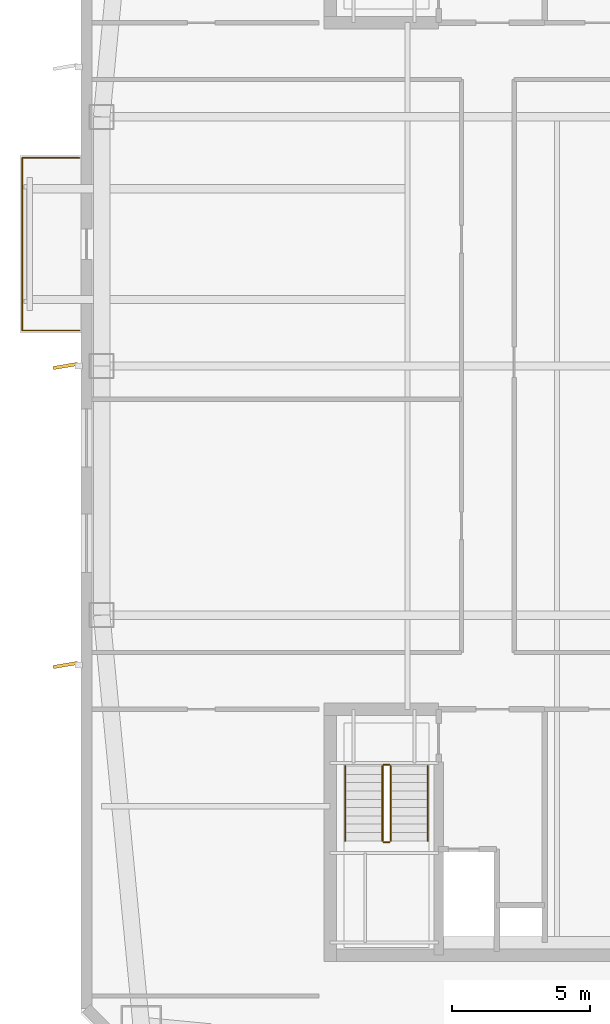
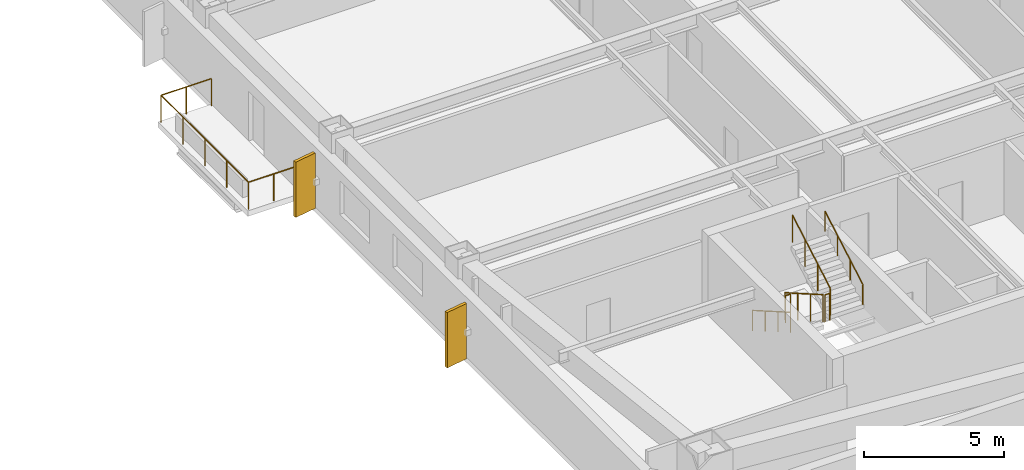
# One storey, part 13 of 17: 7 railings, 2 shading devices.
"""IFC4 building model written with IfcOpenShell, lengths in metres."""

import ifcopenshell
import ifcopenshell.guid

model = None  # the IFC model being written
_history = None  # IfcOwnerHistory: only IFC2X3 demands one
_inside = {}  # id of a spatial element -> (the spatial element, [elements in it])
_under = {}  # id of a project, library or spatial element -> (it, [spatial elements below it])
_declared = {}  # id of a project -> (the project, [libraries it declares])
_typed = {}  # id of a type object -> (the type object, [elements of that type])
_made_of = {}  # id of a material, layer set ... -> (it, [elements and type objects made of it])


def new_model(schema):
    """Start an empty IFC model of exactly this schema.

    Asked for "IFC4X3", IfcOpenShell would pick the latest addendum, in which some entities
    have other attributes; the version numbers below select the first issue.
    IFC2X3 requires an IfcOwnerHistory on every rooted entity: one is made here for all.
    """
    global model, _history
    if schema == "IFC4X3":
        model = ifcopenshell.file(schema_version=(4, 3, 0, 0))
    else:
        model = ifcopenshell.file(schema=schema)
    _inside.clear()
    _under.clear()
    _declared.clear()
    _typed.clear()
    _made_of.clear()
    _history = None
    if model.schema == "IFC2X3":
        org = make("IfcOrganization", Name="unknown")
        user = make(
            "IfcPersonAndOrganization",
            ThePerson=make("IfcPerson", FamilyName="unknown"),
            TheOrganization=org,
        )
        app = make(
            "IfcApplication",
            ApplicationDeveloper=org,
            Version="unknown",
            ApplicationFullName="unknown",
            ApplicationIdentifier="unknown",
        )
        _history = make(
            "IfcOwnerHistory",
            OwningUser=user,
            OwningApplication=app,
            ChangeAction="ADDED",
            CreationDate=0,
        )
    return model


def make(cls, **values):
    """One entity of the class cls with the attributes given. An attribute that is None is left unset."""
    return model.create_entity(
        cls, **{name: value for name, value in values.items() if value is not None}
    )


def rooted(cls, **values):
    """An entity with a GlobalId (a new one), such as an element, a storey or a relation."""
    return make(cls, GlobalId=ifcopenshell.guid.new(), OwnerHistory=_history, **values)


def si_unit(unit_type, name, prefix=None):
    """IfcSIUnit, for example si_unit("LENGTHUNIT", "METRE", prefix="MILLI")."""
    return make("IfcSIUnit", UnitType=unit_type, Prefix=prefix, Name=name)


def assignment(units):
    """IfcUnitAssignment: the units of a project."""
    return None if units is None else make("IfcUnitAssignment", Units=units)


def point(xyz):
    """IfcCartesianPoint."""
    return None if xyz is None else make("IfcCartesianPoint", Coordinates=xyz)


def direction(xyz):
    """IfcDirection."""
    return None if xyz is None else make("IfcDirection", DirectionRatios=xyz)


def frame(location, z_axis=None, x_axis=None):
    """IfcAxis2Placement3D, a coordinate frame: its origin and axes. An axis left out is left unset."""
    return make(
        "IfcAxis2Placement3D",
        Location=point(location),
        Axis=direction(z_axis),
        RefDirection=direction(x_axis),
    )


def frame_2d(location, x_axis=None):
    """IfcAxis2Placement2D, a coordinate frame in the plane: its origin and x axis."""
    return make(
        "IfcAxis2Placement2D", Location=point(location), RefDirection=direction(x_axis)
    )


def origin():
    """The frame at (0, 0, 0) with its axes left unset."""
    return frame((0.0, 0.0, 0.0))


def origin_2d():
    """The frame at (0, 0) in the plane with its x axis left unset."""
    return frame_2d((0.0, 0.0))


def place(relative_to, where):
    """IfcLocalPlacement: puts the frame where relative to a parent placement (None: the world)."""
    return make(
        "IfcLocalPlacement", PlacementRelTo=relative_to, RelativePlacement=where
    )


def context(
    kind, dimensions, precision=None, world=None, true_north=None, identifier=None
):
    """IfcGeometricRepresentationContext, for example the 3D "Model" context."""
    return make(
        "IfcGeometricRepresentationContext",
        ContextIdentifier=identifier,
        ContextType=kind,
        CoordinateSpaceDimension=dimensions,
        Precision=precision,
        WorldCoordinateSystem=world,
        TrueNorth=true_north,
    )


def subcontext(parent, identifier, kind, view, scale=None):
    """IfcGeometricRepresentationSubContext, for example "Body" below "Model"."""
    return make(
        "IfcGeometricRepresentationSubContext",
        ContextIdentifier=identifier,
        ContextType=kind,
        ParentContext=parent,
        TargetScale=scale,
        TargetView=view,
    )


def project(units=None, contexts=None):
    """IfcProject with its units and contexts."""
    return rooted(
        "IfcProject",
        Name="project",
        RepresentationContexts=contexts,
        UnitsInContext=assignment(units),
    )


def spatial(cls, under=None, at=None, **own):
    """A site, building, storey or space (cls), placed at a placement, below another one or the project."""
    s = rooted(cls, ObjectPlacement=at, **own)
    if under is not None:
        _under.setdefault(under.id(), (under, []))[1].append(s)
    return s


def profile(cls, at=None, kind="AREA", **sizes):
    """A parametric profile (cls). Its sizes go by their IFC names, for example OverallWidth=200.0."""
    return make(cls, ProfileType=kind, Position=at, **sizes)


def rectangle(**sizes):
    """IfcRectangleProfileDef."""
    return profile("IfcRectangleProfileDef", **sizes)


def circle(**sizes):
    """IfcCircleProfileDef."""
    return profile("IfcCircleProfileDef", **sizes)


def extrude(swept, where, along, depth):
    """IfcExtrudedAreaSolid: the profile swept, set in the frame where, extruded along a direction by depth."""
    return make(
        "IfcExtrudedAreaSolid",
        SweptArea=swept,
        Position=where,
        ExtrudedDirection=direction(along),
        Depth=depth,
    )


def shape(context_of_items, identifier, shape_type, items):
    """IfcShapeRepresentation: the items that make up one representation, for example the "Body"."""
    return make(
        "IfcShapeRepresentation",
        ContextOfItems=context_of_items,
        RepresentationIdentifier=identifier,
        RepresentationType=shape_type,
        Items=items,
    )


def material(Name=None, Category=None):
    """IfcMaterial."""
    return make("IfcMaterial", Name=Name, Category=Category)


def layer(
    of_material, thickness, ventilated=None, Name=None, Category=None, Priority=None
):
    """IfcMaterialLayer: one layer of a wall or slab, of a material (None: an air gap)."""
    return make(
        "IfcMaterialLayer",
        Material=of_material,
        LayerThickness=thickness,
        IsVentilated=ventilated,
        Name=Name,
        Category=Category,
        Priority=Priority,
    )


def layer_set(layers, Name=None):
    """IfcMaterialLayerSet."""
    return make("IfcMaterialLayerSet", MaterialLayers=layers, LayerSetName=Name)


def made_of(thing, what):
    """Note that an element or type object is made of a material, layer set ...; save() writes the relation."""
    if what is not None:
        _made_of.setdefault(what.id(), (what, []))[1].append(thing)
    return thing


def type_object(cls, material=None, **own):
    """A type object (cls), such as IfcWallType, which elements share."""
    return made_of(rooted(cls, **own), material)


def element(
    cls,
    number,
    at=None,
    inside=None,
    cuts=None,
    type_object=None,
    material=None,
    context=None,
    identifier="Body",
    shape_type=None,
    held_by="IfcProductDefinitionShape",
    body=None,
    shapes=None,
    **own,
):
    """One element of the class cls, such as IfcWall. Its Tag is "e" and its number.

    at: its placement. inside: the storey or other place that contains it. cuts: it is an
    opening in that element (IfcRelVoidsElement). A single representation is given by context,
    identifier, shape_type and body (its items); several are given by shapes. held_by: the class
    of the entity that holds the representations. save() writes the other relations.
    """
    e = rooted(cls, Tag="e%d" % number, ObjectPlacement=at, **own)
    if body is not None:
        shapes = [shape(context, identifier, shape_type, body)]
    if shapes is not None:
        e.Representation = make(held_by, Representations=shapes)
    if inside is not None:
        _inside.setdefault(inside.id(), (inside, []))[1].append(e)
    if cuts is not None:
        rooted(
            "IfcRelVoidsElement", RelatingBuildingElement=cuts, RelatedOpeningElement=e
        )
    if type_object is not None:
        _typed.setdefault(type_object.id(), (type_object, []))[1].append(e)
    return made_of(e, material)


def aggregate(whole, parts):
    """IfcRelAggregates: a whole, such as a stair, and the parts it consists of."""
    return rooted("IfcRelAggregates", RelatingObject=whole, RelatedObjects=parts)


def save(model, path):
    """Write the relations noted so far, then the file.

    IfcRelAggregates (storeys below a building ...), IfcRelContainedInSpatialStructure (elements
    in a storey), IfcRelDefinesByType, IfcRelAssociatesMaterial and IfcRelDeclares: one each for
    every whole, place, type object, material and project.
    """
    for whole, parts in _under.values():
        aggregate(whole, parts)
    for where, things in _inside.values():
        rooted(
            "IfcRelContainedInSpatialStructure",
            RelatedElements=things,
            RelatingStructure=where,
        )
    for kind, things in _typed.values():
        rooted("IfcRelDefinesByType", RelatedObjects=things, RelatingType=kind)
    for what, things in _made_of.values():
        rooted("IfcRelAssociatesMaterial", RelatedObjects=things, RelatingMaterial=what)
    for by, libraries in _declared.values():
        rooted("IfcRelDeclares", RelatingContext=by, RelatedDefinitions=libraries)
    model.write(path)


model = new_model("IFC4")

# Units and contexts
model_context = context("Model", 3, precision=1e-05, world=origin(), true_north=direction((0.0, 1.0)))
body_context = subcontext(model_context, "Body", "Model", "MODEL_VIEW")
ifc_project = project(units=[si_unit("LENGTHUNIT", "METRE"), si_unit("AREAUNIT", "SQUARE_METRE"), si_unit("VOLUMEUNIT", "CUBIC_METRE"), si_unit("PLANEANGLEUNIT", "RADIAN"), si_unit("MASSUNIT", "GRAM", prefix="KILO")], contexts=[model_context])

# Site, building, storey
site_placement = place(None, origin())
site = spatial("IfcSite", under=ifc_project, at=site_placement, CompositionType="ELEMENT")
building_placement = place(site_placement, origin())
building = spatial("IfcBuilding", under=site, at=building_placement, Name="Qiaolan Cultural Towers", CompositionType="ELEMENT")
storey_placement = place(building_placement, frame((0.0, 0.0, 205.85009765625)))
storey = spatial("IfcBuildingStorey", under=building, at=storey_placement, Name="L55", CompositionType="ELEMENT", Elevation=205.85009765625)

# Railings
ifc_material_1 = material(Name="Laminated SentryGlas & Stainless Steel S31608 Balustrade", Category="steel")
railing_type_1 = type_object("IfcRailingType", Name="GRD-TERR-1200", PredefinedType="BALUSTRADE", material=ifc_material_1)
railing_1_placement = place(storey_placement, frame((12.75, 35.280029296875, 0.0)))
element("IfcRailing", 1, at=railing_1_placement, inside=storey, type_object=railing_type_1, Name="L55 T1 Tree Balcony Guardrail W", PredefinedType="BALUSTRADE", context=body_context, shape_type="SweptSolid", body=[
    extrude(circle(Radius=0.02392578125, at=origin_2d()), frame((0.0, 0.0, 1.17578125), z_axis=(-1.0, 0.0, 0.0), x_axis=(0.0, -1.0, 0.0)), (0.0, 0.0, 1.0), 2.070068359375),
    extrude(circle(Radius=0.02392578125, at=origin_2d()), frame((-2.070068359375, 0.0, 1.17578125), z_axis=(0.0, 1.0, 0.0), x_axis=(-1.0, 0.0, 0.0)), (0.0, 0.0, 1.0), 6.239990234375),
    extrude(circle(Radius=0.02392578125, at=origin_2d()), frame((-2.070068359375, 6.239990234375, 1.17578125), z_axis=(1.0, 0.0, 0.0), x_axis=(0.0, 1.0, 0.0)), (0.0, 0.0, 1.0), 2.070068359375),
    extrude(circle(Radius=0.02099609375, at=origin_2d()), origin(), (0.0, 0.0, 1.0), 1.15185546875),
    extrude(circle(Radius=0.02099609375, at=origin_2d()), frame((-1.03515625, 0.0, 0.0)), (0.0, 0.0, 1.0), 1.15185546875),
    extrude(circle(Radius=0.02099609375, at=origin_2d()), frame((-2.070068359375, 0.0, 0.0)), (0.0, 0.0, 1.0), 1.15185546875),
    extrude(circle(Radius=0.02099609375, at=origin_2d()), frame((-2.070068359375, 1.56005859375, 0.0)), (0.0, 0.0, 1.0), 1.15185546875),
    extrude(circle(Radius=0.02099609375, at=origin_2d()), frame((-2.070068359375, 3.1201171875, 0.0)), (0.0, 0.0, 1.0), 1.15185546875),
    extrude(circle(Radius=0.02099609375, at=origin_2d()), frame((-2.070068359375, 4.679931640625, 0.0)), (0.0, 0.0, 1.0), 1.15185546875),
    extrude(circle(Radius=0.02099609375, at=origin_2d()), frame((-2.070068359375, 6.239990234375, 0.0)), (0.0, 0.0, 1.0), 1.15185546875),
    extrude(circle(Radius=0.02099609375, at=origin_2d()), frame((-1.03515625, 6.239990234375, 0.0)), (0.0, 0.0, 1.0), 1.15185546875),
    extrude(circle(Radius=0.02099609375, at=origin_2d()), frame((0.0, 6.239990234375, 0.0)), (0.0, 0.0, 1.0), 1.15185546875),
])
ifc_material_2 = material(Name="Galvanized Painted Steel Stair Guardrail", Category="steel")
railing_type_2 = type_object("IfcRailingType", Name="RL-STAIR-GRD", PredefinedType="GUARDRAIL", material=ifc_material_2)
railing_2_placement = place(storey_placement, frame((23.68994140625, 19.550048828125, 0.17236328125)))
element("IfcRailing", 2, at=railing_2_placement, inside=storey, type_object=railing_type_2, Name="L55 ST-W1 stair guard 1", PredefinedType="GUARDRAIL", context=body_context, shape_type="SweptSolid", body=[
    extrude(circle(Radius=0.02392578125, at=origin_2d()), frame((0.0, 0.0, 1.17578125), z_axis=(0.0, -0.866903762492, 0.498475542607), x_axis=(1.0, 0.0, 0.0)), (0.0, 0.0, 1.0), 3.114501953125),
    extrude(circle(Radius=0.02099609375, at=origin_2d()), origin(), (0.0, 0.0, 1.0), 1.15185546875),
    extrude(circle(Radius=0.02099609375, at=origin_2d()), frame((0.0, -0.89990234375, 0.517578125)), (0.0, 0.0, 1.0), 1.15185546875),
    extrude(circle(Radius=0.02099609375, at=origin_2d()), frame((0.0, -1.800048828125, 1.034912109375)), (0.0, 0.0, 1.0), 1.15185546875),
    extrude(circle(Radius=0.02099609375, at=origin_2d()), frame((0.0, -2.699951171875, 1.552490234375)), (0.0, 0.0, 1.0), 1.15185546875),
])
railing_3_placement = place(storey_placement, frame((23.739990234375, 16.800048828125, 1.724853515625)))
element("IfcRailing", 3, at=railing_3_placement, inside=storey, type_object=railing_type_2, Name="L55 ST-W1 stair guard 2", PredefinedType="GUARDRAIL", context=body_context, shape_type="SweptSolid", body=[
    extrude(circle(Radius=0.02392578125, at=origin_2d()), frame((0.0, 0.0, 1.17578125), z_axis=(1.0, 0.0, 0.0), x_axis=(0.0, 1.0, 0.0)), (0.0, 0.0, 1.0), 0.199951171875),
    extrude(circle(Radius=0.02099609375, at=origin_2d()), origin(), (0.0, 0.0, 1.0), 1.15185546875),
    extrude(circle(Radius=0.02099609375, at=origin_2d()), frame((0.199951171875, 0.0, 0.0)), (0.0, 0.0, 1.0), 1.15185546875),
])
railing_4_placement = place(storey_placement, frame((23.989990234375, 16.85009765625, 1.8974609375)))
element("IfcRailing", 4, at=railing_4_placement, inside=storey, type_object=railing_type_2, Name="L55 ST-W1 stair guard 3", PredefinedType="GUARDRAIL", context=body_context, shape_type="SweptSolid", body=[
    extrude(circle(Radius=0.02392578125, at=origin_2d()), frame((0.0, 0.0, 1.17578125), z_axis=(0.0, 0.866903762492, 0.498475542607), x_axis=(-1.0, 0.0, 0.0)), (0.0, 0.0, 1.0), 3.114501953125),
    extrude(circle(Radius=0.02099609375, at=origin_2d()), origin(), (0.0, 0.0, 1.0), 1.15185546875),
    extrude(circle(Radius=0.02099609375, at=origin_2d()), frame((0.0, 0.89990234375, 0.517578125)), (0.0, 0.0, 1.0), 1.15185546875),
    extrude(circle(Radius=0.02099609375, at=origin_2d()), frame((0.0, 1.800048828125, 1.034912109375)), (0.0, 0.0, 1.0), 1.15185546875),
    extrude(circle(Radius=0.02099609375, at=origin_2d()), frame((0.0, 2.699951171875, 1.552490234375)), (0.0, 0.0, 1.0), 1.15185546875),
])
railing_5_placement = place(storey_placement, frame((23.739990234375, 19.60009765625, 0.0)))
element("IfcRailing", 5, at=railing_5_placement, inside=storey, type_object=railing_type_2, Name="L55 ST-W1 stair guard 4", PredefinedType="GUARDRAIL", context=body_context, shape_type="SweptSolid", body=[
    extrude(circle(Radius=0.02392578125, at=origin_2d()), frame((0.0, 0.0, 1.17578125), z_axis=(1.0, 0.0, 0.0), x_axis=(0.0, 1.0, 0.0)), (0.0, 0.0, 1.0), 0.199951171875),
    extrude(circle(Radius=0.02099609375, at=origin_2d()), origin(), (0.0, 0.0, 1.0), 1.15185546875),
    extrude(circle(Radius=0.02099609375, at=origin_2d()), frame((0.199951171875, 0.0, 0.0)), (0.0, 0.0, 1.0), 1.15185546875),
])
ifc_material_3 = material(Name="Stainless Steel S30408 Tubular Handrail", Category="steel")
railing_type_3 = type_object("IfcRailingType", Name="RL-STAIR-HR", PredefinedType="HANDRAIL", material=ifc_material_3)
railing_6_placement = place(storey_placement, frame((22.35009765625, 19.550048828125, 0.17236328125)))
element("IfcRailing", 6, at=railing_6_placement, inside=storey, type_object=railing_type_3, Name="L55 ST-W1 stair handrail 1", PredefinedType="HANDRAIL", context=body_context, shape_type="SweptSolid", body=[
    extrude(circle(Radius=0.02392578125, at=origin_2d()), frame((0.0, 0.0, 0.8759765625), z_axis=(0.0, -0.866903762492, 0.498475542607), x_axis=(1.0, 0.0, 0.0)), (0.0, 0.0, 1.0), 3.114501953125),
    extrude(circle(Radius=0.02099609375, at=origin_2d()), origin(), (0.0, 0.0, 1.0), 0.851806640625),
    extrude(circle(Radius=0.02099609375, at=origin_2d()), frame((0.0, -0.89990234375, 0.517578125)), (0.0, 0.0, 1.0), 0.851806640625),
    extrude(circle(Radius=0.02099609375, at=origin_2d()), frame((0.0, -1.800048828125, 1.034912109375)), (0.0, 0.0, 1.0), 0.851806640625),
    extrude(circle(Radius=0.02099609375, at=origin_2d()), frame((0.0, -2.699951171875, 1.552490234375)), (0.0, 0.0, 1.0), 0.851806640625),
])
railing_7_placement = place(storey_placement, frame((25.330078125, 16.85009765625, 1.8974609375)))
element("IfcRailing", 7, at=railing_7_placement, inside=storey, type_object=railing_type_3, Name="L55 ST-W1 stair handrail 2", PredefinedType="HANDRAIL", context=body_context, shape_type="SweptSolid", body=[
    extrude(circle(Radius=0.02392578125, at=origin_2d()), frame((0.0, 0.0, 0.8759765625), z_axis=(0.0, 0.866903762492, 0.498475542607), x_axis=(-1.0, 0.0, 0.0)), (0.0, 0.0, 1.0), 3.114501953125),
    extrude(circle(Radius=0.02099609375, at=origin_2d()), origin(), (0.0, 0.0, 1.0), 0.851806640625),
    extrude(circle(Radius=0.02099609375, at=origin_2d()), frame((0.0, 0.89990234375, 0.517578125)), (0.0, 0.0, 1.0), 0.851806640625),
    extrude(circle(Radius=0.02099609375, at=origin_2d()), frame((0.0, 1.800048828125, 1.034912109375)), (0.0, 0.0, 1.0), 0.851806640625),
    extrude(circle(Radius=0.02099609375, at=origin_2d()), frame((0.0, 2.699951171875, 1.552490234375)), (0.0, 0.0, 1.0), 0.851806640625),
])

# Shading devices
ifc_material_4 = material(Name="Light Limestone Precast Vertical Fin", Category="masonry")
ifc_layer = layer(ifc_material_4, 0.1201171875)
ifc_layer_set = layer_set([ifc_layer], Name="Light Limestone Precast Vertical Fin")
shading_device_type = type_object("IfcShadingDeviceType", Name="SHD-FIN-WHITE", PredefinedType="USERDEFINED", material=ifc_layer_set)
for number, where, z_axis, x_axis, name in (
    (8, (12.239990234375, 23.199951171875, 0.10009765625), (0.0, 0.0, 1.0), (0.98587406802, 0.167488274236, 0.0), "L55 T1 Expressive Precast Vertical Fin W1"),
    (9, (12.239990234375, 34.0, 0.10009765625), (0.0, 0.0, 1.0), (0.98587406802, 0.167488274236, 0.0), "L55 T1 Expressive Precast Vertical Fin W2"),
):
    element("IfcShadingDevice", number, at=place(storey_placement, frame(where, z_axis=z_axis, x_axis=x_axis)), inside=storey, type_object=shading_device_type, Name=name, ObjectType="FIN", PredefinedType="USERDEFINED", context=body_context, shape_type="SweptSolid", body=[
        extrude(rectangle(XDim=0.89990234375, YDim=0.1201171875, at=origin_2d()), origin(), (0.0, 0.0, 1.0), 2.409912109375),
    ])

save(model, "model.ifc")
